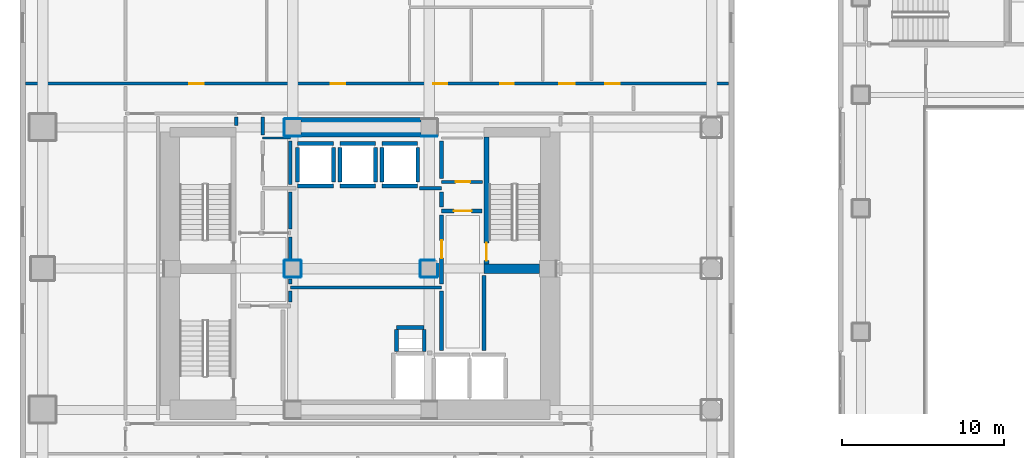
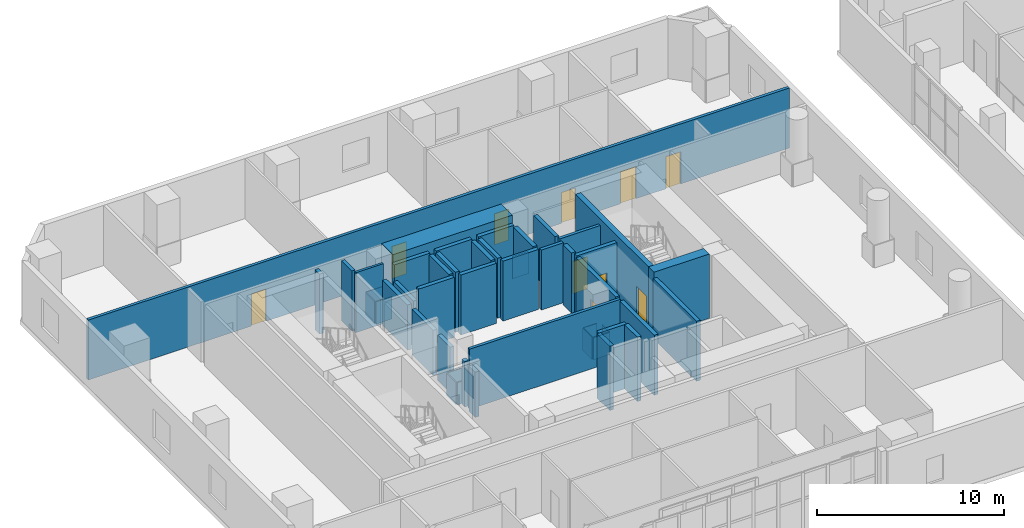
# One storey, part 17 of 24: 48 walls, 10 doors, 10 openings.
"""IFC4 building model written with IfcOpenShell, lengths in metres."""

from ifc_helpers import new_model, si_unit, direction, frame, frame_2d, origin, place, context, subcontext, project, spatial, rectangle, extrude, material, layer, layer_set, type_object, element, fill, save


model = new_model("IFC4")

# Units and contexts
model_context = context("Model", 3, precision=1e-05, world=origin(), true_north=direction((0.0, 1.0)))
body_context = subcontext(model_context, "Body", "Model", "MODEL_VIEW")
ifc_project = project(units=[si_unit("LENGTHUNIT", "METRE"), si_unit("AREAUNIT", "SQUARE_METRE"), si_unit("VOLUMEUNIT", "CUBIC_METRE"), si_unit("PLANEANGLEUNIT", "RADIAN"), si_unit("MASSUNIT", "GRAM", prefix="KILO")], contexts=[model_context])

# Site, building, storey
site_placement = place(None, origin())
site = spatial("IfcSite", under=ifc_project, at=site_placement, CompositionType="ELEMENT")
building_placement = place(site_placement, origin())
building = spatial("IfcBuilding", under=site, at=building_placement, Name="Solanera Arch Residences", CompositionType="ELEMENT")
storey_placement = place(building_placement, frame((0.0, 0.0, 5.199951171875)))
storey = spatial("IfcBuildingStorey", under=building, at=storey_placement, Name="L01", CompositionType="ELEMENT", Elevation=5.199951171875)

# Walls
ifc_material_1 = material(Name="Fire-Rated Gypsum Stud Partition", Category="gypsum")
ifc_layer_1 = layer(ifc_material_1, 0.06005859375)
ifc_layer_set_1 = layer_set([ifc_layer_1], Name="Fire-Rated Gypsum Stud Partition")
wall_type_1 = type_object("IfcWallType", Name="Column Acoustic Furring Wall 60", PredefinedType="PARTITIONING", material=ifc_layer_set_1)
for number, where, z_axis, x_axis, name in (
    (1, (20.300048828125, 38.867919921875, 0.0), (0.0, 0.0, 1.0), (1.0, 0.0, 0.0), "L01 Column Furring 3S"),
    (2, (20.300048828125, 39.931884765625, 0.0), (0.0, 0.0, 1.0), (1.0, 0.0, 0.0), "L01 Column Furring 3N"),
):
    element("IfcWall", number, at=place(storey_placement, frame(where, z_axis=z_axis, x_axis=x_axis)), inside=storey, type_object=wall_type_1, Name=name, PredefinedType="PARTITIONING", context=body_context, shape_type="SweptSolid", body=[
        extrude(rectangle(XDim=0.989990234375, YDim=0.06005859375, at=frame_2d((0.4951171875, 0.0))), origin(), (0.0, 0.0, 1.0), 1.449951171875),
    ])
wall_1_placement = place(storey_placement, frame((20.26806640625, 38.89990234375, 0.0), z_axis=(0.0, 0.0, 1.0), x_axis=(0.0, 1.0, 0.0)))
element("IfcWall", 3, at=wall_1_placement, inside=storey, type_object=wall_type_1, Name="L01 Column Furring 3W", PredefinedType="PARTITIONING", context=body_context, shape_type="SweptSolid", body=[
    extrude(rectangle(XDim=1.0, YDim=0.06005859375, at=frame_2d((0.5, 0.0))), origin(), (0.0, 0.0, 1.0), 1.449951171875),
])
wall_2_placement = place(storey_placement, frame((28.7099609375, 38.867919921875, 0.0), z_axis=(0.0, 0.0, 1.0), x_axis=(1.0, 0.0, 0.0)))
element("IfcWall", 4, at=wall_2_placement, inside=storey, type_object=wall_type_1, Name="L01 Column Furring 4S", PredefinedType="PARTITIONING", context=body_context, shape_type="SweptSolid", body=[
    extrude(rectangle(XDim=0.989990234375, YDim=0.06005859375, at=frame_2d((0.4951171875, 0.0))), origin(), (0.0, 0.0, 1.0), 1.449951171875),
])
for number, where, z_axis, x_axis, name in (
    (5, (20.300048828125, 30.16796875, 0.0), (0.0, 0.0, 1.0), (1.0, 0.0, 0.0), "L01 Column Furring 7S"),
    (6, (20.300048828125, 31.23193359375, 0.0), (0.0, 0.0, 1.0), (1.0, 0.0, 0.0), "L01 Column Furring 7N"),
    (7, (20.26806640625, 30.199951171875, 0.0), (0.0, 0.0, 1.0), (0.0, 1.0, 0.0), "L01 Column Furring 7W"),
    (8, (21.33203125, 30.199951171875, 0.0), (0.0, 0.0, 1.0), (0.0, 1.0, 0.0), "L01 Column Furring 7E"),
    (9, (28.699951171875, 30.16796875, 0.0), (0.0, 0.0, 1.0), (1.0, 0.0, 0.0), "L01 Column Furring 8S"),
):
    element("IfcWall", number, at=place(storey_placement, frame(where, z_axis=z_axis, x_axis=x_axis)), inside=storey, type_object=wall_type_1, Name=name, PredefinedType="PARTITIONING", context=body_context, shape_type="SweptSolid", body=[
        extrude(rectangle(XDim=1.0, YDim=0.06005859375, at=frame_2d((0.5, 0.0))), origin(), (0.0, 0.0, 1.0), 1.449951171875),
    ])
wall_3_placement = place(storey_placement, frame((28.699951171875, 31.23193359375, 0.0), z_axis=(0.0, 0.0, 1.0), x_axis=(1.0, 0.0, 0.0)))
element("IfcWall", 10, at=wall_3_placement, inside=storey, type_object=wall_type_1, Name="L01 Column Furring 8N", PredefinedType="PARTITIONING", context=body_context, shape_type="SweptSolid", body=[
    extrude(rectangle(XDim=0.841064453125, YDim=0.06005859375, at=frame_2d((0.42041015625, 0.0))), origin(), (0.0, 0.0, 1.0), 1.449951171875),
])
wall_4_placement = place(storey_placement, frame((28.66796875, 30.199951171875, 0.0), z_axis=(0.0, 0.0, 1.0), x_axis=(0.0, 1.0, 0.0)))
element("IfcWall", 11, at=wall_4_placement, inside=storey, type_object=wall_type_1, Name="L01 Column Furring 8W", PredefinedType="PARTITIONING", context=body_context, shape_type="SweptSolid", body=[
    extrude(rectangle(XDim=1.0, YDim=0.06005859375, at=frame_2d((0.5, 0.0))), origin(), (0.0, 0.0, 1.0), 1.449951171875),
])
wall_5_placement = place(storey_placement, frame((29.73193359375, 30.199951171875, 0.0), z_axis=(0.0, 0.0, 1.0), x_axis=(0.0, 1.0, 0.0)))
element("IfcWall", 12, at=wall_5_placement, inside=storey, type_object=wall_type_1, Name="L01 Column Furring 8E", PredefinedType="PARTITIONING", context=body_context, shape_type="SweptSolid", body=[
    extrude(rectangle(XDim=0.77197265625, YDim=0.06005859375, at=frame_2d((0.385986328125, 0.0))), origin(), (0.0, 0.0, 1.0), 1.449951171875),
])
ifc_material_2 = material(Name="Concrete C55/67 (f'c = 60 MPa)", Category="concrete")
ifc_layer_2 = layer(ifc_material_2, 1.199951171875)
ifc_layer_set_2 = layer_set([ifc_layer_2], Name="Concrete C55/67 (f'c = 60 MPa)")
wall_type_2 = type_object("IfcWallType", Name="Core Shear Wall CW-1200", PredefinedType="SHEAR", material=ifc_layer_set_2)
wall_6_placement = place(storey_placement, frame((21.304931640625, 39.39990234375, 0.0), z_axis=(0.0, 0.0, 1.0), x_axis=(1.0, 0.0, 0.0)))
element("IfcWall", 13, at=wall_6_placement, inside=storey, type_object=wall_type_2, Name="L01 Central North Core Shear Wall", PredefinedType="SHEAR", context=body_context, shape_type="SweptSolid", body=[
    extrude(rectangle(XDim=7.39013671875, YDim=1.199951171875, at=frame_2d((3.695068359375, 0.0))), origin(), (0.0, 0.0, 1.0), 4.199951171875),
])

# Wall, opening, door
ifc_material_3 = material(Name="Concrete C40/50 (f'c = 45 MPa)", Category="concrete")
ifc_layer_3 = layer(ifc_material_3, 0.320068359375)
ifc_layer_set_3 = layer_set([ifc_layer_3], Name="Concrete C40/50 (f'c = 45 MPa)")
wall_type_3 = type_object("IfcWallType", Name="Core Shear Wall CW-320", PredefinedType="SHEAR", material=ifc_layer_set_3)
wall_7_placement = place(storey_placement, frame((32.739990234375, 31.0, 0.0), z_axis=(0.0, 0.0, 1.0), x_axis=(0.0, 1.0, 0.0)))
wall_7 = element("IfcWall", 14, at=wall_7_placement, inside=storey, type_object=wall_type_3, Name="L01 Stair ST-T2 West Shear Wall", PredefinedType="SHEAR", context=body_context, shape_type="SweptSolid", body=[
    extrude(rectangle(XDim=7.800048828125, YDim=0.320068359375, at=frame_2d((3.89990234375, 0.0))), origin(), (0.0, 0.0, 1.0), 4.199951171875),
])
opening_1_placement = place(wall_7_placement, frame((0.18994140625, 0.0, 0.0)))
opening_1 = element("IfcOpeningElement", 15, at=opening_1_placement, cuts=wall_7, Name="Opening DF-01", PredefinedType="OPENING", context=body_context, shape_type="SweptSolid", body=[
    extrude(rectangle(XDim=1.10009765625, YDim=2.14990234375, at=frame_2d((0.550048828125, 1.074951171875))), frame((0.0, 0.169921875, 0.0), z_axis=(0.0, -1.0, 0.0), x_axis=(1.0, 0.0, 0.0)), (0.0, 0.0, 1.0), 0.3401),
])
ifc_material_4 = material(Name="Fire-Rated Architectural Hardwood", Category="wood")
door_type_1 = type_object("IfcDoorType", Name="Stair Exit Fire Door DF-01", OperationType="NOTDEFINED", PredefinedType="DOOR", material=ifc_material_4)
door_1_placement = place(opening_1_placement, origin())
door_1 = element("IfcDoor", 16, at=door_1_placement, inside=storey, type_object=door_type_1, Name="DR-L01-STAIR-ST-T2", OperationType="SINGLE_SWING_LEFT", OverallHeight=2.14990234375, OverallWidth=1.10009765625, PredefinedType="DOOR", context=body_context, shape_type="SweptSolid", body=[
    extrude(rectangle(XDim=1.10009765625, YDim=2.14990234375, at=frame_2d((0.550048828125, 1.074951171875))), frame((0.0, 0.02490234375, 0.0), z_axis=(0.0, -1.0, 0.0), x_axis=(1.0, 0.0, 0.0)), (0.0, 0.0, 1.0), 0.050048828125),
])
fill(opening_1, door_1)

# Walls
ifc_material_5 = material(Name="Concrete C40/50 (f'c = 45 MPa)", Category="concrete")
ifc_layer_4 = layer(ifc_material_5, 0.60009765625)
ifc_layer_set_4 = layer_set([ifc_layer_4], Name="Concrete C40/50 (f'c = 45 MPa)")
wall_type_4 = type_object("IfcWallType", Name="Core Shear Wall CW-600", PredefinedType="SHEAR", material=ifc_layer_set_4)
wall_8_placement = place(storey_placement, frame((32.580078125, 30.699951171875, 0.0), z_axis=(0.0, 0.0, 1.0), x_axis=(1.0, 0.0, 0.0)))
element("IfcWall", 17, at=wall_8_placement, inside=storey, type_object=wall_type_4, Name="L01 East Stair Far-Landing Shear Wall", PredefinedType="SHEAR", context=body_context, shape_type="SweptSolid", body=[
    extrude(rectangle(XDim=3.4150390625, YDim=0.60009765625, at=frame_2d((1.70751953125, 0.0))), origin(), (0.0, 0.0, 1.0), 4.199951171875),
])
ifc_material_6 = material(Name="Autoclaved Aerated Concrete Blockwork", Category="masonry")
ifc_layer_5 = layer(ifc_material_6, 0.179931640625)
ifc_layer_set_5 = layer_set([ifc_layer_5], Name="Autoclaved Aerated Concrete Blockwork")
wall_type_5 = type_object("IfcWallType", Name="Corridor Fire Partition 180", PredefinedType="PARTITIONING", material=ifc_layer_set_5)
wall_9_placement = place(storey_placement, frame((20.64990234375, 29.550048828125, 0.0), z_axis=(0.0, 0.0, 1.0), x_axis=(1.0, 0.0, 0.0)))
element("IfcWall", 18, at=wall_9_placement, inside=storey, type_object=wall_type_5, Name="L01 Interior Partition H11", PredefinedType="PARTITIONING", context=body_context, shape_type="SweptSolid", body=[
    extrude(rectangle(XDim=9.3251953125, YDim=0.179931640625, at=frame_2d((4.66259765625, 0.0))), origin(), (0.0, 0.0, 1.0), 3.920166015625),
])

# Wall, opening, door
wall_10_placement = place(storey_placement, frame((29.97509765625, 36.050048828125, 0.0), z_axis=(0.0, 0.0, 1.0), x_axis=(1.0, 0.0, 0.0)))
wall_10 = element("IfcWall", 19, at=wall_10_placement, inside=storey, type_object=wall_type_5, Name="L01 Interior Partition H12", PredefinedType="PARTITIONING", context=body_context, shape_type="SweptSolid", body=[
    extrude(rectangle(XDim=2.5048828125, YDim=0.179931640625, at=frame_2d((1.25244140625, 0.0))), origin(), (0.0, 0.0, 1.0), 3.920166015625),
])
opening_2_placement = place(wall_10_placement, frame((0.85205078125, 0.0, 0.0)))
opening_2 = element("IfcOpeningElement", 20, at=opening_2_placement, cuts=wall_10, Name="Opening DI-02", PredefinedType="OPENING", context=body_context, shape_type="SweptSolid", body=[
    extrude(rectangle(XDim=0.89990234375, YDim=2.10009765625, at=frame_2d((0.449951171875, 1.050048828125))), frame((0.0, 0.10009765625, 0.0), z_axis=(0.0, -1.0, 0.0), x_axis=(1.0, 0.0, 0.0)), (0.0, 0.0, 1.0), 0.1999),
])
ifc_material_7 = material(Name="Fire-Rated Architectural Hardwood", Category="wood")
door_type_2 = type_object("IfcDoorType", Name="Suite Room Swing Door DI-02", OperationType="NOTDEFINED", PredefinedType="DOOR", material=ifc_material_7)
door_2_placement = place(opening_2_placement, origin())
door_2 = element("IfcDoor", 21, at=door_2_placement, inside=storey, type_object=door_type_2, Name="DR-L01-IN-024", OperationType="SINGLE_SWING_LEFT", OverallHeight=2.10009765625, OverallWidth=0.89990234375, PredefinedType="DOOR", context=body_context, shape_type="SweptSolid", body=[
    extrude(rectangle(XDim=0.89990234375, YDim=2.10009765625, at=frame_2d((0.449951171875, 1.050048828125))), frame((0.0, 0.02490234375, 0.0), z_axis=(0.0, -1.0, 0.0), x_axis=(1.0, 0.0, 0.0)), (0.0, 0.0, 1.0), 0.050048828125),
])
fill(opening_2, door_2)

# Wall, openings, doors
wall_11_placement = place(storey_placement, frame((4.35205078125, 42.10009765625, 0.0), z_axis=(0.0, 0.0, 1.0), x_axis=(1.0, 0.0, 0.0)))
wall_11 = element("IfcWall", 22, at=wall_11_placement, inside=storey, type_object=wall_type_5, Name="L01 Interior Partition H15", PredefinedType="PARTITIONING", context=body_context, shape_type="SweptSolid", body=[
    extrude(rectangle(XDim=43.2958984375, YDim=0.179931640625, at=frame_2d((21.64794921875, 0.0))), origin(), (0.0, 0.0, 1.0), 3.920166015625),
])
opening_3_placement = place(wall_11_placement, frame((10.072021484375, 0.0, 0.0)))
opening_3 = element("IfcOpeningElement", 23, at=opening_3_placement, cuts=wall_11, Name="Opening DI-02", PredefinedType="OPENING", context=body_context, shape_type="SweptSolid", body=[
    extrude(rectangle(XDim=0.89990234375, YDim=2.10009765625, at=frame_2d((0.449951171875, 1.050048828125))), frame((0.0, 0.10009765625, 0.0), z_axis=(0.0, -1.0, 0.0), x_axis=(1.0, 0.0, 0.0)), (0.0, 0.0, 1.0), 0.1999),
])
opening_4_placement = place(wall_11_placement, frame((18.798095703125, 0.0, 0.0)))
opening_4 = element("IfcOpeningElement", 24, at=opening_4_placement, cuts=wall_11, Name="Opening DI-02", PredefinedType="OPENING", context=body_context, shape_type="SweptSolid", body=[
    extrude(rectangle(XDim=0.89990234375, YDim=2.10009765625, at=frame_2d((0.449951171875, 1.050048828125))), frame((0.0, 0.10009765625, 0.0), z_axis=(0.0, -1.0, 0.0), x_axis=(1.0, 0.0, 0.0)), (0.0, 0.0, 1.0), 0.1999),
])
opening_5_placement = place(wall_11_placement, frame((25.117919921875, 0.0, 0.0)))
opening_5 = element("IfcOpeningElement", 25, at=opening_5_placement, cuts=wall_11, Name="Opening DI-05", PredefinedType="OPENING", context=body_context, shape_type="SweptSolid", body=[
    extrude(rectangle(XDim=0.860107421875, YDim=2.02001953125, at=frame_2d((0.43017578125, 1.010009765625))), frame((0.0, 0.10009765625, 0.0), z_axis=(0.0, -1.0, 0.0), x_axis=(1.0, 0.0, 0.0)), (0.0, 0.0, 1.0), 0.1999),
])
opening_6_placement = place(wall_11_placement, frame((29.218017578125, 0.0, 0.0)))
opening_6 = element("IfcOpeningElement", 26, at=opening_6_placement, cuts=wall_11, Name="Opening DI-05", PredefinedType="OPENING", context=body_context, shape_type="SweptSolid", body=[
    extrude(rectangle(XDim=0.860107421875, YDim=2.02001953125, at=frame_2d((0.43017578125, 1.010009765625))), frame((0.0, 0.10009765625, 0.0), z_axis=(0.0, -1.0, 0.0), x_axis=(1.0, 0.0, 0.0)), (0.0, 0.0, 1.0), 0.1999),
])
opening_7_placement = place(wall_11_placement, frame((32.873046875, 0.0, 0.0)))
opening_7 = element("IfcOpeningElement", 27, at=opening_7_placement, cuts=wall_11, Name="Opening DI-04", PredefinedType="OPENING", context=body_context, shape_type="SweptSolid", body=[
    extrude(rectangle(XDim=0.949951171875, YDim=2.10009765625, at=frame_2d((0.47509765625, 1.050048828125))), frame((0.0, 0.10009765625, 0.0), z_axis=(0.0, -1.0, 0.0), x_axis=(1.0, 0.0, 0.0)), (0.0, 0.0, 1.0), 0.1999),
])
opening_8_placement = place(wall_11_placement, frame((35.68798828125, 0.0, 0.0)))
opening_8 = element("IfcOpeningElement", 28, at=opening_8_placement, cuts=wall_11, Name="Opening DI-02", PredefinedType="OPENING", context=body_context, shape_type="SweptSolid", body=[
    extrude(rectangle(XDim=0.89990234375, YDim=2.10009765625, at=frame_2d((0.449951171875, 1.050048828125))), frame((0.0, 0.10009765625, 0.0), z_axis=(0.0, -1.0, 0.0), x_axis=(1.0, 0.0, 0.0)), (0.0, 0.0, 1.0), 0.1999),
])
ifc_material_8 = material(Name="Fire-Rated Architectural Hardwood", Category="wood")
door_type_3 = type_object("IfcDoorType", Name="Accessible Restroom Door DI-04", OperationType="NOTDEFINED", PredefinedType="DOOR", material=ifc_material_8)
door_3_placement = place(opening_7_placement, origin())
door_3 = element("IfcDoor", 29, at=door_3_placement, inside=storey, type_object=door_type_3, Name="DR-L01-IN-041", OperationType="SINGLE_SWING_RIGHT", OverallHeight=2.10009765625, OverallWidth=0.949951171875, PredefinedType="DOOR", context=body_context, shape_type="SweptSolid", body=[
    extrude(rectangle(XDim=0.949951171875, YDim=2.10009765625, at=frame_2d((0.47509765625, 1.050048828125))), frame((0.0, 0.02490234375, 0.0), z_axis=(0.0, -1.0, 0.0), x_axis=(1.0, 0.0, 0.0)), (0.0, 0.0, 1.0), 0.050048828125),
])
fill(opening_7, door_3)
ifc_material_9 = material(Name="Fire-Rated Architectural Hardwood", Category="wood")
door_type_4 = type_object("IfcDoorType", Name="Bathroom Swing Door DI-05", OperationType="NOTDEFINED", PredefinedType="DOOR", material=ifc_material_9)
door_4_placement = place(opening_5_placement, origin())
door_4 = element("IfcDoor", 30, at=door_4_placement, inside=storey, type_object=door_type_4, Name="DR-L01-IN-039", OperationType="SINGLE_SWING_RIGHT", OverallHeight=2.02001953125, OverallWidth=0.860107421875, PredefinedType="DOOR", context=body_context, shape_type="SweptSolid", body=[
    extrude(rectangle(XDim=0.860107421875, YDim=2.02001953125, at=frame_2d((0.43017578125, 1.010009765625))), frame((0.0, 0.02490234375, 0.0), z_axis=(0.0, -1.0, 0.0), x_axis=(1.0, 0.0, 0.0)), (0.0, 0.0, 1.0), 0.050048828125),
])
fill(opening_5, door_4)
door_5_placement = place(opening_6_placement, origin())
door_5 = element("IfcDoor", 31, at=door_5_placement, inside=storey, type_object=door_type_4, Name="DR-L01-IN-040", OperationType="SINGLE_SWING_LEFT", OverallHeight=2.02001953125, OverallWidth=0.860107421875, PredefinedType="DOOR", context=body_context, shape_type="SweptSolid", body=[
    extrude(rectangle(XDim=0.860107421875, YDim=2.02001953125, at=frame_2d((0.43017578125, 1.010009765625))), frame((0.0, 0.02490234375, 0.0), z_axis=(0.0, -1.0, 0.0), x_axis=(1.0, 0.0, 0.0)), (0.0, 0.0, 1.0), 0.050048828125),
])
fill(opening_6, door_5)
door_6_placement = place(opening_3_placement, origin())
door_6 = element("IfcDoor", 32, at=door_6_placement, inside=storey, type_object=door_type_2, Name="DR-L01-IN-027", OperationType="SINGLE_SWING_RIGHT", OverallHeight=2.10009765625, OverallWidth=0.89990234375, PredefinedType="DOOR", context=body_context, shape_type="SweptSolid", body=[
    extrude(rectangle(XDim=0.89990234375, YDim=2.10009765625, at=frame_2d((0.449951171875, 1.050048828125))), frame((0.0, 0.02490234375, 0.0), z_axis=(0.0, -1.0, 0.0), x_axis=(1.0, 0.0, 0.0)), (0.0, 0.0, 1.0), 0.050048828125),
])
fill(opening_3, door_6)
door_7_placement = place(opening_4_placement, origin())
door_7 = element("IfcDoor", 33, at=door_7_placement, inside=storey, type_object=door_type_2, Name="DR-L01-IN-028", OperationType="SINGLE_SWING_LEFT", OverallHeight=2.10009765625, OverallWidth=0.89990234375, PredefinedType="DOOR", context=body_context, shape_type="SweptSolid", body=[
    extrude(rectangle(XDim=0.89990234375, YDim=2.10009765625, at=frame_2d((0.449951171875, 1.050048828125))), frame((0.0, 0.02490234375, 0.0), z_axis=(0.0, -1.0, 0.0), x_axis=(1.0, 0.0, 0.0)), (0.0, 0.0, 1.0), 0.050048828125),
])
fill(opening_4, door_7)
door_8_placement = place(opening_8_placement, origin())
door_8 = element("IfcDoor", 34, at=door_8_placement, inside=storey, type_object=door_type_2, Name="DR-L01-IN-042", OperationType="SINGLE_SWING_LEFT", OverallHeight=2.10009765625, OverallWidth=0.89990234375, PredefinedType="DOOR", context=body_context, shape_type="SweptSolid", body=[
    extrude(rectangle(XDim=0.89990234375, YDim=2.10009765625, at=frame_2d((0.449951171875, 1.050048828125))), frame((0.0, 0.02490234375, 0.0), z_axis=(0.0, -1.0, 0.0), x_axis=(1.0, 0.0, 0.0)), (0.0, 0.0, 1.0), 0.050048828125),
])
fill(opening_8, door_8)

# Walls
ifc_material_10 = material(Name="Autoclaved Aerated Concrete Blockwork", Category="masonry")
ifc_layer_6 = layer(ifc_material_10, 0.199951171875)
ifc_layer_set_6 = layer_set([ifc_layer_6], Name="Autoclaved Aerated Concrete Blockwork")
wall_type_6 = type_object("IfcWallType", Name="Party Wall Acoustic 200", PredefinedType="PARTITIONING", material=ifc_layer_set_6)
wall_12_placement = place(storey_placement, frame((28.60400390625, 35.64990234375, 0.0), z_axis=(0.0, 0.0, 1.0), x_axis=(1.0, 0.0, 0.0)))
element("IfcWall", 35, at=wall_12_placement, inside=storey, type_object=wall_type_6, Name="L01 Interior Partition H6 2", PredefinedType="PARTITIONING", context=body_context, shape_type="SweptSolid", body=[
    extrude(rectangle(XDim=1.37109375, YDim=0.199951171875, at=frame_2d((0.685546875, 0.0))), origin(), (0.0, 0.0, 1.0), 3.920166015625),
])
wall_13_placement = place(storey_placement, frame((18.949951171875, 38.927978515625, 0.0), z_axis=(0.0, 0.0, 1.0), x_axis=(0.0, 1.0, 0.0)))
element("IfcWall", 36, at=wall_13_placement, inside=storey, type_object=wall_type_6, Name="L01 Interior Partition V6 3", PredefinedType="PARTITIONING", context=body_context, shape_type="SweptSolid", body=[
    extrude(rectangle(XDim=1.1240234375, YDim=0.199951171875, at=frame_2d((0.56201171875, 0.0))), origin(), (0.0, 0.0, 1.0), 3.920166015625),
])
ifc_material_11 = material(Name="Concrete C40/50 (f'c = 45 MPa)", Category="concrete")
ifc_layer_7 = layer(ifc_material_11, 0.239990234375)
ifc_layer_set_7 = layer_set([ifc_layer_7], Name="Concrete C40/50 (f'c = 45 MPa)")
wall_type_7 = type_object("IfcWallType", Name="Ramp Bearing Shear Wall RW-240", PredefinedType="SHEAR", material=ifc_layer_set_7)
wall_14_placement = place(storey_placement, frame((27.199951171875, 27.080078125, 0.0), z_axis=(0.0, 0.0, 1.0), x_axis=(1.0, 0.0, 0.0)))
element("IfcWall", 37, at=wall_14_placement, inside=storey, type_object=wall_type_7, Name="L01 Core MEP Riser North Shaft Wall", PredefinedType="SHEAR", context=body_context, shape_type="SweptSolid", body=[
    extrude(rectangle(XDim=1.699951171875, YDim=0.239990234375, at=frame_2d((0.85009765625, 0.0))), origin(), (0.0, 0.0, 1.0), 4.199951171875),
])
for number, where, z_axis, x_axis, name in (
    (38, (27.199951171875, 25.60009765625, 0.0), (0.0, 0.0, 1.0), (0.0, 1.0, 0.0), "L01 Core MEP Riser West Shaft Wall"),
    (39, (28.89990234375, 25.60009765625, 0.0), (0.0, 0.0, 1.0), (0.0, 1.0, 0.0), "L01 Core MEP Riser East Shaft Wall"),
):
    element("IfcWall", number, at=place(storey_placement, frame(where, z_axis=z_axis, x_axis=x_axis)), inside=storey, type_object=wall_type_7, Name=name, PredefinedType="SHEAR", context=body_context, shape_type="SweptSolid", body=[
        extrude(rectangle(XDim=1.35986328125, YDim=0.239990234375, at=frame_2d((0.679931640625, 0.0))), origin(), (0.0, 0.0, 1.0), 4.199951171875),
    ])
ifc_material_12 = material(Name="Autoclaved Aerated Concrete Blockwork", Category="masonry")
ifc_layer_8 = layer(ifc_material_12, 0.239990234375)
ifc_layer_set_8 = layer_set([ifc_layer_8], Name="Autoclaved Aerated Concrete Blockwork")
wall_type_8 = type_object("IfcWallType", Name="Shaft Wall Fire-Rated 240", PredefinedType="PARTITIONING", material=ifc_layer_set_8)
for number, where, z_axis, x_axis, name in (
    (40, (21.10009765625, 35.800048828125, 0.0), (0.0, 0.0, 1.0), (1.0, 0.0, 0.0), "L01 Lift PL-L1 Hoistway Wall S"),
    (41, (21.10009765625, 38.39990234375, 0.0), (0.0, 0.0, 1.0), (1.0, 0.0, 0.0), "L01 Lift PL-L1 Hoistway Wall N"),
):
    element("IfcWall", number, at=place(storey_placement, frame(where, z_axis=z_axis, x_axis=x_axis)), inside=storey, type_object=wall_type_8, Name=name, PredefinedType="PARTITIONING", context=body_context, shape_type="SweptSolid", body=[
        extrude(rectangle(XDim=2.199951171875, YDim=0.239990234375, at=frame_2d((1.10009765625, 0.0))), origin(), (0.0, 0.0, 1.0), 3.920166015625),
    ])
wall_15_placement = place(storey_placement, frame((21.10009765625, 36.048095703125, 0.0), z_axis=(0.0, 0.0, 1.0), x_axis=(0.0, 1.0, 0.0)))
element("IfcWall", 42, at=wall_15_placement, inside=storey, type_object=wall_type_8, Name="L01 Lift PL-L1 Hoistway Wall W", PredefinedType="PARTITIONING", context=body_context, shape_type="SweptSolid", body=[
    extrude(rectangle(XDim=2.10400390625, YDim=0.239990234375, at=frame_2d((1.052001953125, 0.0))), origin(), (0.0, 0.0, 1.0), 2.955078125),
])
wall_16_placement = place(storey_placement, frame((23.300048828125, 36.048095703125, 0.0), z_axis=(0.0, 0.0, 1.0), x_axis=(0.0, 1.0, 0.0)))
element("IfcWall", 43, at=wall_16_placement, inside=storey, type_object=wall_type_8, Name="L01 Lift PL-L1 Hoistway Wall E", PredefinedType="PARTITIONING", context=body_context, shape_type="SweptSolid", body=[
    extrude(rectangle(XDim=2.10400390625, YDim=0.239990234375, at=frame_2d((1.052001953125, 0.0))), origin(), (0.0, 0.0, 1.0), 3.920166015625),
])
for number, where, z_axis, x_axis, name in (
    (44, (23.699951171875, 35.800048828125, 0.0), (0.0, 0.0, 1.0), (1.0, 0.0, 0.0), "L01 Lift PL-L2 Hoistway Wall S"),
    (45, (23.699951171875, 38.39990234375, 0.0), (0.0, 0.0, 1.0), (1.0, 0.0, 0.0), "L01 Lift PL-L2 Hoistway Wall N"),
):
    element("IfcWall", number, at=place(storey_placement, frame(where, z_axis=z_axis, x_axis=x_axis)), inside=storey, type_object=wall_type_8, Name=name, PredefinedType="PARTITIONING", context=body_context, shape_type="SweptSolid", body=[
        extrude(rectangle(XDim=2.199951171875, YDim=0.239990234375, at=frame_2d((1.10009765625, 0.0))), origin(), (0.0, 0.0, 1.0), 3.920166015625),
    ])
for number, where, z_axis, x_axis, name in (
    (46, (23.699951171875, 36.048095703125, 0.0), (0.0, 0.0, 1.0), (0.0, 1.0, 0.0), "L01 Lift PL-L2 Hoistway Wall W"),
    (47, (25.89990234375, 36.048095703125, 0.0), (0.0, 0.0, 1.0), (0.0, 1.0, 0.0), "L01 Lift PL-L2 Hoistway Wall E"),
):
    element("IfcWall", number, at=place(storey_placement, frame(where, z_axis=z_axis, x_axis=x_axis)), inside=storey, type_object=wall_type_8, Name=name, PredefinedType="PARTITIONING", context=body_context, shape_type="SweptSolid", body=[
        extrude(rectangle(XDim=2.10400390625, YDim=0.239990234375, at=frame_2d((1.052001953125, 0.0))), origin(), (0.0, 0.0, 1.0), 3.920166015625),
    ])
for number, where, z_axis, x_axis, name in (
    (48, (26.300048828125, 35.800048828125, 0.0), (0.0, 0.0, 1.0), (1.0, 0.0, 0.0), "L01 Lift PL-L3 Hoistway Wall S"),
    (49, (26.300048828125, 38.39990234375, 0.0), (0.0, 0.0, 1.0), (1.0, 0.0, 0.0), "L01 Lift PL-L3 Hoistway Wall N"),
):
    element("IfcWall", number, at=place(storey_placement, frame(where, z_axis=z_axis, x_axis=x_axis)), inside=storey, type_object=wall_type_8, Name=name, PredefinedType="PARTITIONING", context=body_context, shape_type="SweptSolid", body=[
        extrude(rectangle(XDim=2.199951171875, YDim=0.239990234375, at=frame_2d((1.10009765625, 0.0))), origin(), (0.0, 0.0, 1.0), 3.920166015625),
    ])
for number, where, z_axis, x_axis, name in (
    (50, (26.300048828125, 36.048095703125, 0.0), (0.0, 0.0, 1.0), (0.0, 1.0, 0.0), "L01 Lift PL-L3 Hoistway Wall W"),
    (51, (28.5, 36.048095703125, 0.0), (0.0, 0.0, 1.0), (0.0, 1.0, 0.0), "L01 Lift PL-L3 Hoistway Wall E"),
):
    element("IfcWall", number, at=place(storey_placement, frame(where, z_axis=z_axis, x_axis=x_axis)), inside=storey, type_object=wall_type_8, Name=name, PredefinedType="PARTITIONING", context=body_context, shape_type="SweptSolid", body=[
        extrude(rectangle(XDim=2.10400390625, YDim=0.239990234375, at=frame_2d((1.052001953125, 0.0))), origin(), (0.0, 0.0, 1.0), 3.920166015625),
    ])

# Wall, opening, door
wall_17_placement = place(storey_placement, frame((29.97509765625, 34.25, 0.0), z_axis=(0.0, 0.0, 1.0), x_axis=(1.0, 0.0, 0.0)))
wall_17 = element("IfcWall", 52, at=wall_17_placement, inside=storey, type_object=wall_type_8, Name="L01 Interior Partition H5", PredefinedType="PARTITIONING", context=body_context, shape_type="SweptSolid", body=[
    extrude(rectangle(XDim=2.474853515625, YDim=0.239990234375, at=frame_2d((1.2373046875, 0.0))), origin(), (0.0, 0.0, 1.0), 3.920166015625),
])
opening_9_placement = place(wall_17_placement, frame((0.751953125, 0.0, 0.0)))
opening_9 = element("IfcOpeningElement", 53, at=opening_9_placement, cuts=wall_17, Name="Opening DF-02", PredefinedType="OPENING", context=body_context, shape_type="SweptSolid", body=[
    extrude(rectangle(XDim=1.10009765625, YDim=2.14990234375, at=frame_2d((0.550048828125, 1.074951171875))), frame((0.0, 0.1298828125, 0.0), z_axis=(0.0, -1.0, 0.0), x_axis=(1.0, 0.0, 0.0)), (0.0, 0.0, 1.0), 0.26),
])
ifc_material_13 = material(Name="Fire-Rated Architectural Hardwood", Category="wood")
door_type_5 = type_object("IfcDoorType", Name="Firefighting Lobby Fire Door DF-02", OperationType="NOTDEFINED", PredefinedType="DOOR", material=ifc_material_13)
door_9_placement = place(opening_9_placement, origin())
door_9 = element("IfcDoor", 54, at=door_9_placement, inside=storey, type_object=door_type_5, Name="DR-L01-IN-011", OperationType="SINGLE_SWING_RIGHT", OverallHeight=2.14990234375, OverallWidth=1.10009765625, PredefinedType="DOOR", context=body_context, shape_type="SweptSolid", body=[
    extrude(rectangle(XDim=1.10009765625, YDim=2.14990234375, at=frame_2d((0.550048828125, 1.074951171875))), frame((0.0, 0.02490234375, 0.0), z_axis=(0.0, -1.0, 0.0), x_axis=(1.0, 0.0, 0.0)), (0.0, 0.0, 1.0), 0.050048828125),
])
fill(opening_9, door_9)

# Walls
wall_18_placement = place(storey_placement, frame((17.320068359375, 39.530029296875, 0.0), z_axis=(0.0, 0.0, 1.0), x_axis=(0.0, 1.0, 0.0)))
element("IfcWall", 55, at=wall_18_placement, inside=storey, type_object=wall_type_8, Name="L01 Interior Partition V1", PredefinedType="PARTITIONING", context=body_context, shape_type="SweptSolid", body=[
    extrude(rectangle(XDim=0.501953125, YDim=0.239990234375, at=frame_2d((0.2509765625, 0.0))), origin(), (0.0, 0.0, 1.0), 3.920166015625),
])
wall_19_placement = place(storey_placement, frame((20.64990234375, 28.64794921875, 0.0), z_axis=(0.0, 0.0, 1.0), x_axis=(0.0, 1.0, 0.0)))
element("IfcWall", 56, at=wall_19_placement, inside=storey, type_object=wall_type_8, Name="L01 Interior Partition V3 1", PredefinedType="PARTITIONING", context=body_context, shape_type="SweptSolid", body=[
    extrude(rectangle(XDim=0.68408203125, YDim=0.239990234375, at=frame_2d((0.342041015625, 0.0))), origin(), (0.0, 0.0, 1.0), 2.955078125),
])
wall_20_placement = place(storey_placement, frame((20.64990234375, 29.76806640625, 0.0), z_axis=(0.0, 0.0, 1.0), x_axis=(0.0, 1.0, 0.0)))
element("IfcWall", 57, at=wall_20_placement, inside=storey, type_object=wall_type_8, Name="L01 Interior Partition V3 2", PredefinedType="PARTITIONING", context=body_context, shape_type="SweptSolid", body=[
    extrude(rectangle(XDim=0.300048828125, YDim=0.239990234375, at=frame_2d((0.14990234375, 0.0))), origin(), (0.0, 0.0, 1.0), 2.955078125),
])
wall_21_placement = place(storey_placement, frame((20.64990234375, 31.33203125, 0.0), z_axis=(0.0, 0.0, 1.0), x_axis=(0.0, 1.0, 0.0)))
element("IfcWall", 58, at=wall_21_placement, inside=storey, type_object=wall_type_8, Name="L01 Interior Partition V3 3", PredefinedType="PARTITIONING", context=body_context, shape_type="SweptSolid", body=[
    extrude(rectangle(XDim=1.320068359375, YDim=0.239990234375, at=frame_2d((0.66015625, 0.0))), origin(), (0.0, 0.0, 1.0), 2.955078125),
])
wall_22_placement = place(storey_placement, frame((20.64990234375, 33.14794921875, 0.0), z_axis=(0.0, 0.0, 1.0), x_axis=(0.0, 1.0, 0.0)))
element("IfcWall", 59, at=wall_22_placement, inside=storey, type_object=wall_type_8, Name="L01 Interior Partition V3 4", PredefinedType="PARTITIONING", context=body_context, shape_type="SweptSolid", body=[
    extrude(rectangle(XDim=2.274169921875, YDim=0.239990234375, at=frame_2d((1.13720703125, 0.0))), origin(), (0.0, 0.0, 1.0), 2.955078125),
])
wall_23_placement = place(storey_placement, frame((20.64990234375, 35.8779296875, 0.0), z_axis=(0.0, 0.0, 1.0), x_axis=(0.0, 1.0, 0.0)))
element("IfcWall", 60, at=wall_23_placement, inside=storey, type_object=wall_type_8, Name="L01 Interior Partition V3 5", PredefinedType="PARTITIONING", context=body_context, shape_type="SweptSolid", body=[
    extrude(rectangle(XDim=2.674072265625, YDim=0.239990234375, at=frame_2d((1.3369140625, 0.0))), origin(), (0.0, 0.0, 1.0), 2.955078125),
])
wall_24_placement = place(storey_placement, frame((29.97509765625, 25.64794921875, 0.0), z_axis=(0.0, 0.0, 1.0), x_axis=(0.0, 1.0, 0.0)))
element("IfcWall", 61, at=wall_24_placement, inside=storey, type_object=wall_type_8, Name="L01 Interior Partition V4 1", PredefinedType="PARTITIONING", context=body_context, shape_type="SweptSolid", body=[
    extrude(rectangle(XDim=3.68408203125, YDim=0.239990234375, at=frame_2d((1.842041015625, 0.0))), origin(), (0.0, 0.0, 1.0), 3.920166015625),
])

# Wall, opening, door
wall_25_placement = place(storey_placement, frame((29.97509765625, 29.76806640625, 0.0), z_axis=(0.0, 0.0, 1.0), x_axis=(0.0, 1.0, 0.0)))
wall_25 = element("IfcWall", 62, at=wall_25_placement, inside=storey, type_object=wall_type_8, Name="L01 Interior Partition V4 2", PredefinedType="PARTITIONING", context=body_context, shape_type="SweptSolid", body=[
    extrude(rectangle(XDim=4.23388671875, YDim=0.239990234375, at=frame_2d((2.116943359375, 0.0))), origin(), (0.0, 0.0, 1.0), 3.920166015625),
])
opening_10_placement = place(wall_25_placement, frame((1.58203125, 0.0, 0.0)))
opening_10 = element("IfcOpeningElement", 63, at=opening_10_placement, cuts=wall_25, Name="Opening DF-02", PredefinedType="OPENING", context=body_context, shape_type="SweptSolid", body=[
    extrude(rectangle(XDim=1.10009765625, YDim=2.14990234375, at=frame_2d((0.550048828125, 1.074951171875))), frame((0.0, 0.1298828125, 0.0), z_axis=(0.0, -1.0, 0.0), x_axis=(1.0, 0.0, 0.0)), (0.0, 0.0, 1.0), 0.26),
])
door_10_placement = place(opening_10_placement, origin())
door_10 = element("IfcDoor", 64, at=door_10_placement, inside=storey, type_object=door_type_5, Name="DR-L01-IN-010", OperationType="SINGLE_SWING_LEFT", OverallHeight=2.14990234375, OverallWidth=1.10009765625, PredefinedType="DOOR", context=body_context, shape_type="SweptSolid", body=[
    extrude(rectangle(XDim=1.10009765625, YDim=2.14990234375, at=frame_2d((0.550048828125, 1.074951171875))), frame((0.0, 0.02490234375, 0.0), z_axis=(0.0, -1.0, 0.0), x_axis=(1.0, 0.0, 0.0)), (0.0, 0.0, 1.0), 0.050048828125),
])
fill(opening_10, door_10)

# Walls
wall_26_placement = place(storey_placement, frame((29.97509765625, 34.498046875, 0.0), z_axis=(0.0, 0.0, 1.0), x_axis=(0.0, 1.0, 0.0)))
element("IfcWall", 65, at=wall_26_placement, inside=storey, type_object=wall_type_8, Name="L01 Interior Partition V4 3", PredefinedType="PARTITIONING", context=body_context, shape_type="SweptSolid", body=[
    extrude(rectangle(XDim=0.924072265625, YDim=0.239990234375, at=frame_2d((0.4619140625, 0.0))), origin(), (0.0, 0.0, 1.0), 3.920166015625),
])
wall_27_placement = place(storey_placement, frame((29.97509765625, 36.26806640625, 0.0), z_axis=(0.0, 0.0, 1.0), x_axis=(0.0, 1.0, 0.0)))
element("IfcWall", 66, at=wall_27_placement, inside=storey, type_object=wall_type_8, Name="L01 Interior Partition V4 4", PredefinedType="PARTITIONING", context=body_context, shape_type="SweptSolid", body=[
    extrude(rectangle(XDim=2.283935546875, YDim=0.239990234375, at=frame_2d((1.14208984375, 0.0))), origin(), (0.0, 0.0, 1.0), 3.920166015625),
])
wall_28_placement = place(storey_placement, frame((32.580078125, 25.64794921875, 0.0), z_axis=(0.0, 0.0, 1.0), x_axis=(0.0, 1.0, 0.0)))
element("IfcWall", 67, at=wall_28_placement, inside=storey, type_object=wall_type_8, Name="L01 Interior Partition V5", PredefinedType="PARTITIONING", context=body_context, shape_type="SweptSolid", body=[
    extrude(rectangle(XDim=4.6220703125, YDim=0.239990234375, at=frame_2d((2.31103515625, 0.0))), origin(), (0.0, 0.0, 1.0), 3.920166015625),
])
ifc_material_14 = material(Name="Autoclaved Aerated Concrete Blockwork", Category="masonry")
ifc_layer_9 = layer(ifc_material_14, 0.139892578125)
ifc_layer_set_9 = layer_set([ifc_layer_9], Name="Autoclaved Aerated Concrete Blockwork")
wall_type_9 = type_object("IfcWallType", Name="Wet-Room Partition 140", PredefinedType="PARTITIONING", material=ifc_layer_set_9)
wall_29_placement = place(storey_placement, frame((18.949951171875, 38.75, 0.0), z_axis=(0.0, 0.0, 1.0), x_axis=(1.0, 0.0, 0.0)))
element("IfcWall", 68, at=wall_29_placement, inside=storey, type_object=wall_type_9, Name="L01 Interior Partition H19", PredefinedType="PARTITIONING", context=body_context, shape_type="SweptSolid", body=[
    extrude(rectangle(XDim=1.699951171875, YDim=0.139892578125, at=frame_2d((0.85009765625, 0.0))), origin(), (0.0, 0.0, 1.0), 3.920166015625),
])

save(model, "model.ifc")
